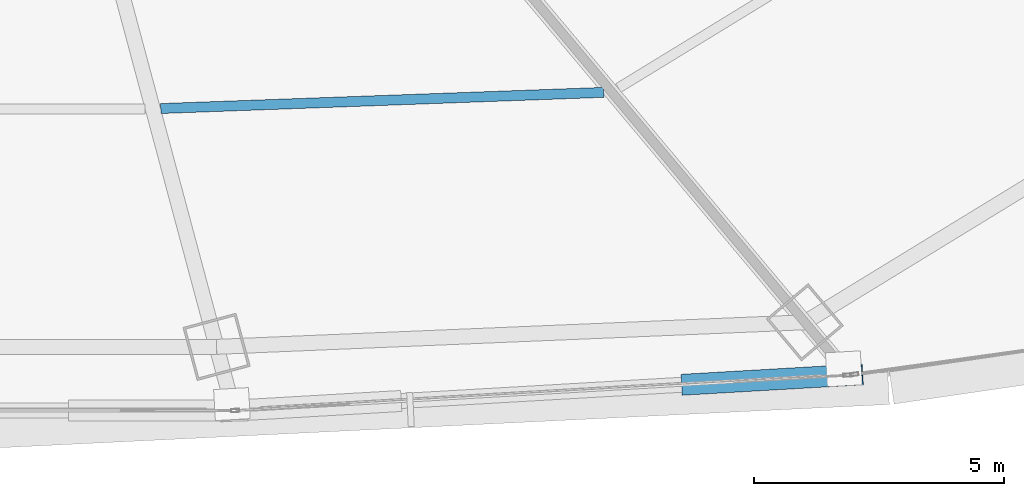
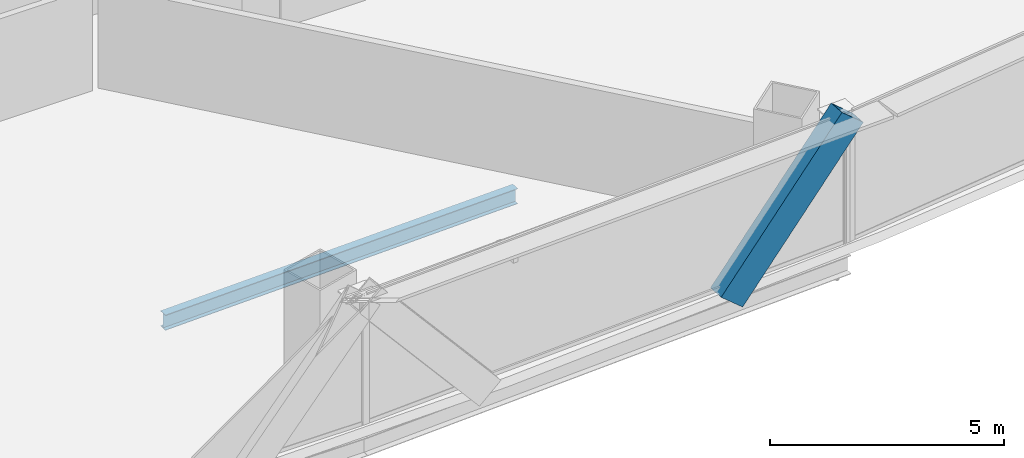
# One storey, part 11 of 37: 1 beam, 1 member.
"""IFC4 building model written with IfcOpenShell, lengths in metres."""

from ifc_helpers import new_model, si_unit, direction, frame, origin, origin_2d, place, context, subcontext, project, spatial, hollow_rectangle, i_section, extrude, source, transform, mapped, material, material_profile, profile_set, type_object, element, save


model = new_model("IFC4")

# Units and contexts
model_context = context("Model", 3, precision=1e-05, world=origin(), true_north=direction((0.0, 1.0)))
body_context = subcontext(model_context, "Body", "Model", "MODEL_VIEW")
ifc_project = project(units=[si_unit("LENGTHUNIT", "METRE"), si_unit("AREAUNIT", "SQUARE_METRE"), si_unit("VOLUMEUNIT", "CUBIC_METRE"), si_unit("PLANEANGLEUNIT", "RADIAN"), si_unit("MASSUNIT", "GRAM", prefix="KILO"), si_unit("THERMODYNAMICTEMPERATUREUNIT", "KELVIN"), si_unit("POWERUNIT", "WATT")], contexts=[model_context])

# Site, building, storey
site_placement = place(None, origin())
site = spatial("IfcSite", under=ifc_project, at=site_placement, CompositionType="ELEMENT")
building_placement = place(site_placement, origin())
building = spatial("IfcBuilding", under=site, at=building_placement, Name="Yunzhuo Pagoda Commons", CompositionType="ELEMENT")
storey_placement = place(building_placement, frame((0.0, 0.0, 59.43994140625)))
storey = spatial("IfcBuildingStorey", under=building, at=storey_placement, Name="L15", CompositionType="ELEMENT", Elevation=59.43994140625)

# Beam
ifc_material_1 = material(Name="Structural steel Q355B", Category="steel")
ifc_material_profile_1 = material_profile(ifc_material_1, i_section(OverallWidth=0.199951171875, OverallDepth=0.39990234375, WebThickness=0.008056640625, FlangeThickness=0.012939453125, at=origin_2d()), Name="Structural steel Q355B")
ifc_profile_set_1 = profile_set([ifc_material_profile_1], Name="Structural steel Q355B")
beam_type = type_object("IfcBeamType", Name="B-JS1 Joist HN 400x200x8x13", PredefinedType="JOIST", material=ifc_profile_set_1)
shared_shape_1 = source(origin(), body_context, "Body", "SweptSolid", [
    extrude(i_section(OverallWidth=0.199951171875, OverallDepth=0.39990234375, WebThickness=0.008056640625, FlangeThickness=0.012939453125, at=origin_2d()), origin(), (0.0, 0.0, 1.0), 8.876953125),
])
beam_placement = place(storey_placement, frame((52.601806640625, 17.125, -0.459716796875), z_axis=(0.999335806416, 0.036440993601, 0.0), x_axis=(-0.036440993601, 0.999335806416, 0.0)))
element("IfcBeam", 1, at=beam_placement, inside=storey, type_object=beam_type, Name="L15 composite ring joist 2.3", PredefinedType="JOIST", context=body_context, shape_type="MappedRepresentation", body=[
    mapped(shared_shape_1, transform((0.0, 0.0, 0.0), scale=1.0)),
])

# Member
ifc_material_2 = material(Name="Structural steel Q420B", Category="steel")
ifc_material_profile_2 = material_profile(ifc_material_2, hollow_rectangle(XDim=0.419921875, YDim=0.719970703125, WallThickness=0.028076171875, at=origin_2d()), Name="Structural steel Q420B")
ifc_profile_set_2 = profile_set([ifc_material_profile_2], Name="Structural steel Q420B")
member_type = type_object("IfcMemberType", Name="M-DL1 Brace BOX 720x420x28", PredefinedType="BRACE", material=ifc_profile_set_2)
shared_shape_2 = source(origin(), body_context, "Body", "SweptSolid", [
    extrude(hollow_rectangle(XDim=0.419921875, YDim=0.719970703125, WallThickness=0.028076171875, at=origin_2d()), origin(), (0.0, 0.0, 1.0), 4.7646484375),
])
member_placement = place(storey_placement, frame((63.306640625, 11.6083984375, -0.260009765625), z_axis=(0.646640240605, 0.037404704884, 0.761877475243), x_axis=(-0.05774815874, 0.998331182605, 0.0)))
element("IfcMember", 2, at=member_placement, inside=storey, type_object=member_type, Name="L15 facade diamond brace F1.3R", PredefinedType="BRACE", context=body_context, shape_type="MappedRepresentation", body=[
    mapped(shared_shape_2, transform((0.0, 0.0, 0.0), scale=1.0)),
])

save(model, "model.ifc")
